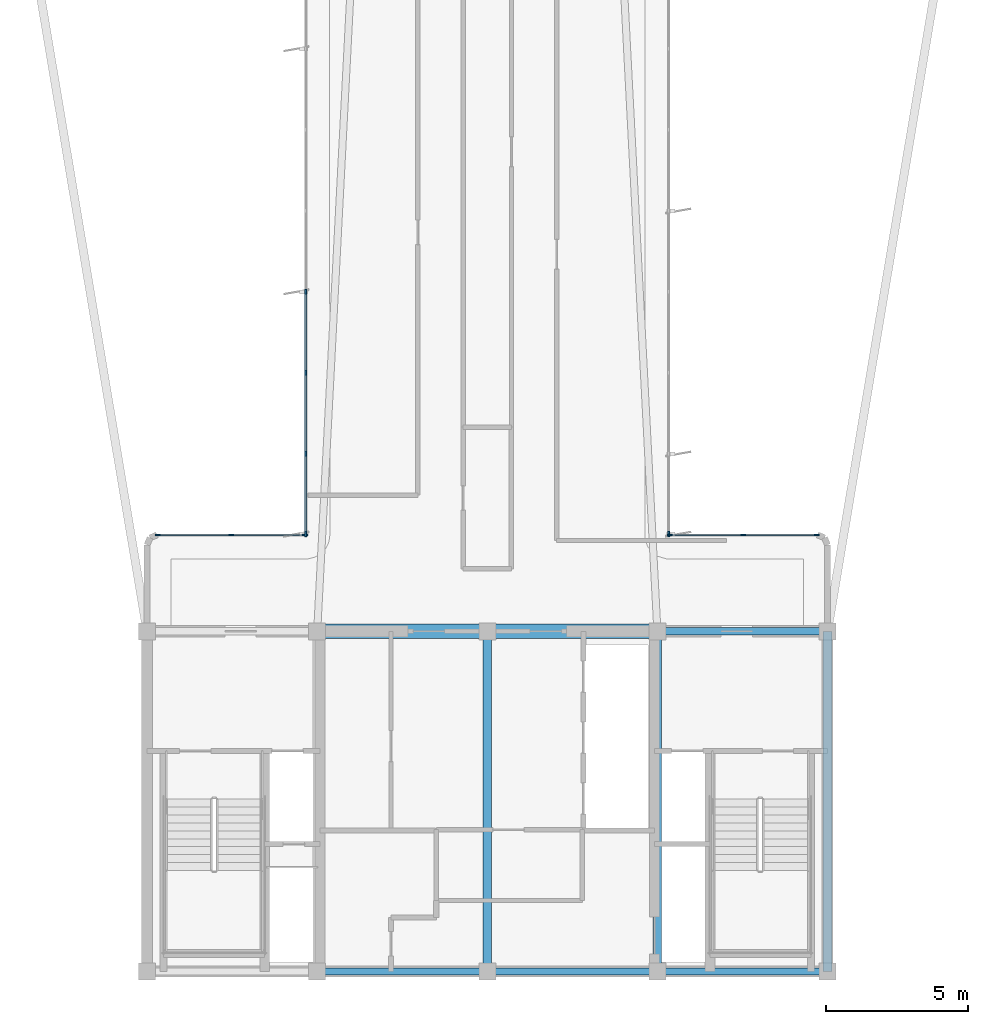
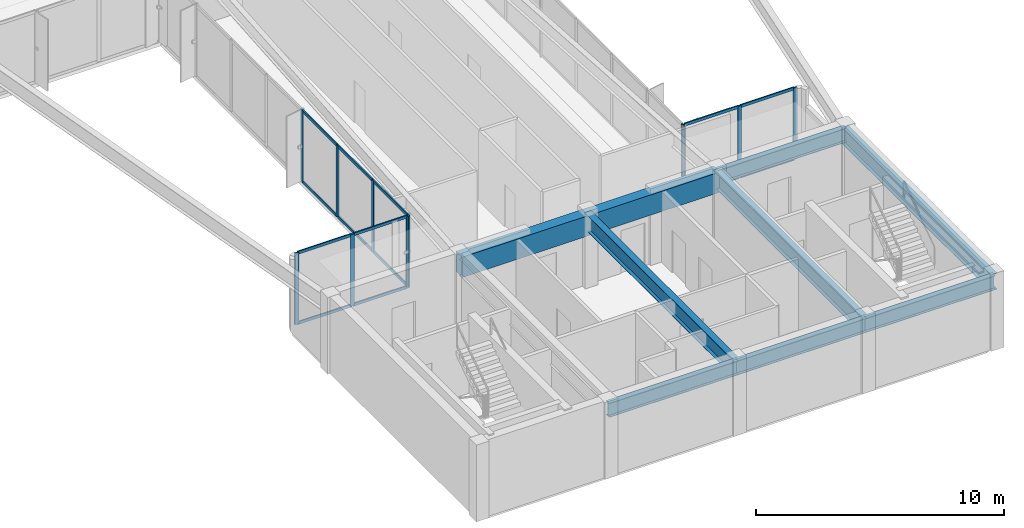
# One storey, part 2 of 15: 25 members, 8 beams, 4 elements without a shape of their own.
"""IFC4 building model written with IfcOpenShell, lengths in metres."""

from ifc_helpers import new_model, si_unit, direction, frame, origin, origin_2d, place, context, subcontext, project, spatial, rectangle, i_section, extrude, source, transform, mapped, material, layer, layer_set, material_profile, profile_set, type_object, element, aggregate, save


model = new_model("IFC4")

# Units and contexts
model_context = context("Model", 3, precision=1e-05, world=origin(), true_north=direction((0.0, 1.0)))
body_context = subcontext(model_context, "Body", "Model", "MODEL_VIEW")
ifc_project = project(units=[si_unit("LENGTHUNIT", "METRE"), si_unit("AREAUNIT", "SQUARE_METRE"), si_unit("VOLUMEUNIT", "CUBIC_METRE"), si_unit("PLANEANGLEUNIT", "RADIAN"), si_unit("MASSUNIT", "GRAM", prefix="KILO")], contexts=[model_context])

# Site, building, storey
site_placement = place(None, origin())
site = spatial("IfcSite", under=ifc_project, at=site_placement, CompositionType="ELEMENT")
building_placement = place(site_placement, origin())
building = spatial("IfcBuilding", under=site, at=building_placement, Name="Brelvock Crest Care Tower", CompositionType="ELEMENT")
storey_placement = place(building_placement, frame((0.0, 0.0, 272.159912109375)))
storey = spatial("IfcBuildingStorey", under=building, at=storey_placement, Name="L69", CompositionType="ELEMENT", Elevation=272.159912109375)

# Beams
ifc_material_1 = material(Name="Steel Grade 350", Category="steel")
ifc_material_profile_1 = material_profile(ifc_material_1, i_section(OverallWidth=0.25, OverallDepth=0.699951171875, WebThickness=0.011962890625, FlangeThickness=0.02001953125, at=origin_2d()), Name="700WB150")
ifc_profile_set_1 = profile_set([ifc_material_profile_1], Name="Steel Grade 350")
beam_type_1 = type_object("IfcBeamType", Name="BM-G4", PredefinedType="BEAM", material=ifc_profile_set_1)
shared_shape_1 = source(origin(), body_context, "Body", "SweptSolid", [
    extrude(i_section(OverallWidth=0.25, OverallDepth=0.699951171875, WebThickness=0.011962890625, FlangeThickness=0.02001953125, at=origin_2d()), origin(), (0.0, 0.0, 1.0), 6.0),
])
for number, where, z_axis, x_axis, name in (
    (1, (30.0, 6.0, 3.18017578125), (1.0, 0.0, 0.0), (0.0, 1.0, 0.0), "BM-CORES-L69-2"),
    (2, (36.0, 6.0, 3.18017578125), (1.0, 0.0, 0.0), (0.0, 1.0, 0.0), "BM-CORES-L69-3"),
    (3, (42.0, 6.0, 3.18017578125), (1.0, 0.0, 0.0), (0.0, 1.0, 0.0), "BM-CORES-L69-4"),
    (4, (42.0, 18.0, 3.18017578125), (1.0, 0.0, 0.0), (0.0, 1.0, 0.0), "BM-COREN-L69-4"),
):
    element("IfcBeam", number, at=place(storey_placement, frame(where, z_axis=z_axis, x_axis=x_axis)), inside=storey, type_object=beam_type_1, Name=name, PredefinedType="BEAM", context=body_context, shape_type="MappedRepresentation", body=[
        mapped(shared_shape_1, transform((0.0, 0.0, 0.0), x_axis=(1.0, 0.0, 0.0), y_axis=(0.0, 1.0, 0.0), z_axis=(0.0, 0.0, 1.0), scale=1.0)),
    ])
ifc_material_profile_2 = material_profile(ifc_material_1, i_section(OverallWidth=0.300048828125, OverallDepth=0.800048828125, WebThickness=0.013916015625, FlangeThickness=0.02197265625, at=origin_2d()), Name="800WB192")
ifc_profile_set_2 = profile_set([ifc_material_profile_2], Name="Steel Grade 350")
beam_type_2 = type_object("IfcBeamType", Name="BM-G5", PredefinedType="BEAM", material=ifc_profile_set_2)
shared_shape_2 = source(origin(), body_context, "Body", "SweptSolid", [
    extrude(i_section(OverallWidth=0.300048828125, OverallDepth=0.800048828125, WebThickness=0.013916015625, FlangeThickness=0.02197265625, at=origin_2d()), origin(), (0.0, 0.0, 1.0), 12.0),
])
for number, where, z_axis, x_axis, name in (
    (5, (36.0, 6.0, 3.130126953125), (0.0, 1.0, 0.0), (-1.0, 0.0, 0.0), "BM-COREX-L69-3"),
    (6, (42.0, 6.0, 3.130126953125), (0.0, 1.0, 0.0), (-1.0, 0.0, 0.0), "BM-COREX-L69-4"),
    (7, (48.0, 6.0, 3.130126953125), (0.0, 1.0, 0.0), (-1.0, 0.0, 0.0), "BM-COREX-L69-5"),
):
    element("IfcBeam", number, at=place(storey_placement, frame(where, z_axis=z_axis, x_axis=x_axis)), inside=storey, type_object=beam_type_2, Name=name, PredefinedType="BEAM", context=body_context, shape_type="MappedRepresentation", body=[
        mapped(shared_shape_2, transform((0.0, 0.0, 0.0), x_axis=(1.0, 0.0, 0.0), y_axis=(0.0, 1.0, 0.0), z_axis=(0.0, 0.0, 1.0), scale=1.0)),
    ])
ifc_material_2 = material(Name="Concrete S65 (65 MPa)", Category="concrete")
ifc_material_profile_3 = material_profile(ifc_material_2, rectangle(XDim=0.5, YDim=1.0, at=origin_2d()), Name="RC500x1000")
ifc_profile_set_3 = profile_set([ifc_material_profile_3], Name="Concrete S65 (65 MPa)")
beam_type_3 = type_object("IfcBeamType", Name="BM-LN2", PredefinedType="LINTEL", material=ifc_profile_set_3)
shared_shape_3 = source(origin(), body_context, "Body", "SweptSolid", [
    extrude(rectangle(XDim=0.5, YDim=1.0, at=origin_2d()), origin(), (0.0, 0.0, 1.0), 12.0),
])
beam_placement = place(storey_placement, frame((30.0, 18.0, 3.030029296875), z_axis=(1.0, 0.0, 0.0), x_axis=(0.0, 1.0, 0.0)))
element("IfcBeam", 8, at=beam_placement, inside=storey, type_object=beam_type_3, Name="L69 Core Coupling Lintel Beam", PredefinedType="LINTEL", context=body_context, shape_type="MappedRepresentation", body=[
    mapped(shared_shape_3, transform((0.0, 0.0, 0.0), x_axis=(1.0, 0.0, 0.0), y_axis=(0.0, 1.0, 0.0), z_axis=(0.0, 0.0, 1.0), scale=1.0)),
])

# Curtain wall, members
ifc_material_3 = material(Name="Dark Glass Double Glazed Low-E", Category="glass")
ifc_layer = layer(ifc_material_3, 0.239990234375, Name="CWS-5")
ifc_layer_set = layer_set([ifc_layer], Name="Dark Glass Double Glazed Low-E")
curtain_wall_type = type_object("IfcCurtainWallType", Name="CWS-5", PredefinedType="NOTDEFINED", material=ifc_layer_set)
curtain_wall_1_placement = place(storey_placement, origin())
curtain_wall_1 = element("IfcCurtainWall", 9, at=curtain_wall_1_placement, inside=storey, type_object=curtain_wall_type, Name="L69 Curtain Wall E10", PredefinedType="NOTDEFINED")
ifc_material_4 = material(Name="Aluminium 6063-T6", Category="aluminium")
ifc_material_profile_4 = material_profile(ifc_material_4, rectangle(XDim=0.06005859375, YDim=0.179931640625, at=origin_2d()), Name="ALU60x180")
ifc_profile_set_4 = profile_set([ifc_material_profile_4], Name="Aluminium 6063-T6")
member_type_1 = type_object("IfcMemberType", Name="CWM-2", PredefinedType="MULLION", material=ifc_profile_set_4)
shared_shape_4 = source(origin(), body_context, "Body", "SweptSolid", [
    extrude(rectangle(XDim=0.06005859375, YDim=0.179931640625, at=origin_2d()), origin(), (0.0, 0.0, 1.0), 3.530029296875),
])
member_1_placement = place(storey_placement, frame((24.3798828125, 21.39990234375, 0.0), z_axis=(0.0, 0.0, 1.0), x_axis=(0.0, 1.0, 0.0)))
member_1 = element("IfcMember", 10, at=member_1_placement, type_object=member_type_1, Name="CW-5 mullion 1", PredefinedType="MULLION", context=body_context, shape_type="MappedRepresentation", body=[
    mapped(shared_shape_4, transform((0.0, 0.0, 0.0), x_axis=(1.0, 0.0, 0.0), y_axis=(0.0, 1.0, 0.0), z_axis=(0.0, 0.0, 1.0), scale=1.0)),
])
member_2_placement = place(storey_placement, frame((26.97509765625, 21.39990234375, 0.0), z_axis=(0.0, 0.0, 1.0), x_axis=(0.0, 1.0, 0.0)))
member_2 = element("IfcMember", 11, at=member_2_placement, type_object=member_type_1, Name="CW-5 mullion 2", PredefinedType="MULLION", context=body_context, shape_type="MappedRepresentation", body=[
    mapped(shared_shape_4, transform((0.0, 0.0, 0.0), x_axis=(1.0, 0.0, 0.0), y_axis=(0.0, 1.0, 0.0), z_axis=(0.0, 0.0, 1.0), scale=1.0)),
])
member_3_placement = place(storey_placement, frame((29.570068359375, 21.39990234375, 0.0), z_axis=(0.0, 0.0, 1.0), x_axis=(0.0, 1.0, 0.0)))
member_3 = element("IfcMember", 12, at=member_3_placement, type_object=member_type_1, Name="CW-5 mullion 3", PredefinedType="MULLION", context=body_context, shape_type="MappedRepresentation", body=[
    mapped(shared_shape_4, transform((0.0, 0.0, 0.0), x_axis=(1.0, 0.0, 0.0), y_axis=(0.0, 1.0, 0.0), z_axis=(0.0, 0.0, 1.0), scale=1.0)),
])

curtain_wall_2_placement = place(storey_placement, origin())
curtain_wall_2 = element("IfcCurtainWall", 13, at=curtain_wall_2_placement, inside=storey, type_object=curtain_wall_type, Name="L69 Curtain Wall E11", PredefinedType="NOTDEFINED")
member_4_placement = place(storey_placement, frame((29.60009765625, 21.429931640625, 0.0), z_axis=(0.0, 0.0, 1.0), x_axis=(-1.0, 0.0, 0.0)))
member_4 = element("IfcMember", 14, at=member_4_placement, type_object=member_type_1, Name="CW-5 mullion 1", PredefinedType="MULLION", context=body_context, shape_type="MappedRepresentation", body=[
    mapped(shared_shape_4, transform((0.0, 0.0, 0.0), x_axis=(1.0, 0.0, 0.0), y_axis=(0.0, 1.0, 0.0), z_axis=(0.0, 0.0, 1.0), scale=1.0)),
])
member_5_placement = place(storey_placement, frame((29.60009765625, 24.257080078125, 0.0), z_axis=(0.0, 0.0, 1.0), x_axis=(-1.0, 0.0, 0.0)))
member_5 = element("IfcMember", 15, at=member_5_placement, type_object=member_type_1, Name="CW-5 mullion 2", PredefinedType="MULLION", context=body_context, shape_type="MappedRepresentation", body=[
    mapped(shared_shape_4, transform((0.0, 0.0, 0.0), x_axis=(1.0, 0.0, 0.0), y_axis=(0.0, 1.0, 0.0), z_axis=(0.0, 0.0, 1.0), scale=1.0)),
])
member_6_placement = place(storey_placement, frame((29.60009765625, 27.1142578125, 0.0), z_axis=(0.0, 0.0, 1.0), x_axis=(-1.0, 0.0, 0.0)))
member_6 = element("IfcMember", 16, at=member_6_placement, type_object=member_type_1, Name="CW-5 mullion 3", PredefinedType="MULLION", context=body_context, shape_type="MappedRepresentation", body=[
    mapped(shared_shape_4, transform((0.0, 0.0, 0.0), x_axis=(1.0, 0.0, 0.0), y_axis=(0.0, 1.0, 0.0), z_axis=(0.0, 0.0, 1.0), scale=1.0)),
])
member_7_placement = place(storey_placement, frame((29.60009765625, 29.971435546875, 0.0), z_axis=(0.0, 0.0, 1.0), x_axis=(-1.0, 0.0, 0.0)))
member_7 = element("IfcMember", 17, at=member_7_placement, type_object=member_type_1, Name="CW-5 mullion 4", PredefinedType="MULLION", context=body_context, shape_type="MappedRepresentation", body=[
    mapped(shared_shape_4, transform((0.0, 0.0, 0.0), x_axis=(1.0, 0.0, 0.0), y_axis=(0.0, 1.0, 0.0), z_axis=(0.0, 0.0, 1.0), scale=1.0)),
])

# Curtain wall, member
curtain_wall_3_placement = place(storey_placement, origin())
curtain_wall_3 = element("IfcCurtainWall", 18, at=curtain_wall_3_placement, inside=storey, type_object=curtain_wall_type, Name="L69 Curtain Wall E45", PredefinedType="NOTDEFINED")
member_8_placement = place(storey_placement, frame((42.39990234375, 21.429931640625, 0.0), z_axis=(0.0, 0.0, 1.0), x_axis=(1.0, 0.0, 0.0)))
member_8 = element("IfcMember", 19, at=member_8_placement, type_object=member_type_1, Name="CW-5 mullion 8", PredefinedType="MULLION", context=body_context, shape_type="MappedRepresentation", body=[
    mapped(shared_shape_4, transform((0.0, 0.0, 0.0), x_axis=(1.0, 0.0, 0.0), y_axis=(0.0, 1.0, 0.0), z_axis=(0.0, 0.0, 1.0), scale=1.0)),
])
aggregate(curtain_wall_3, [member_8])

# Curtain wall, members
curtain_wall_4_placement = place(storey_placement, origin())
curtain_wall_4 = element("IfcCurtainWall", 20, at=curtain_wall_4_placement, inside=storey, type_object=curtain_wall_type, Name="L69 Curtain Wall E46", PredefinedType="NOTDEFINED")
member_9_placement = place(storey_placement, frame((42.429931640625, 21.39990234375, 0.0), z_axis=(0.0, 0.0, 1.0), x_axis=(0.0, 1.0, 0.0)))
member_9 = element("IfcMember", 21, at=member_9_placement, type_object=member_type_1, Name="CW-5 mullion 1", PredefinedType="MULLION", context=body_context, shape_type="MappedRepresentation", body=[
    mapped(shared_shape_4, transform((0.0, 0.0, 0.0), x_axis=(1.0, 0.0, 0.0), y_axis=(0.0, 1.0, 0.0), z_axis=(0.0, 0.0, 1.0), scale=1.0)),
])
member_10_placement = place(storey_placement, frame((45.02490234375, 21.39990234375, 0.0), z_axis=(0.0, 0.0, 1.0), x_axis=(0.0, 1.0, 0.0)))
member_10 = element("IfcMember", 22, at=member_10_placement, type_object=member_type_1, Name="CW-5 mullion 2", PredefinedType="MULLION", context=body_context, shape_type="MappedRepresentation", body=[
    mapped(shared_shape_4, transform((0.0, 0.0, 0.0), x_axis=(1.0, 0.0, 0.0), y_axis=(0.0, 1.0, 0.0), z_axis=(0.0, 0.0, 1.0), scale=1.0)),
])
member_11_placement = place(storey_placement, frame((47.6201171875, 21.39990234375, 0.0), z_axis=(0.0, 0.0, 1.0), x_axis=(0.0, 1.0, 0.0)))
member_11 = element("IfcMember", 23, at=member_11_placement, type_object=member_type_1, Name="CW-5 mullion 3", PredefinedType="MULLION", context=body_context, shape_type="MappedRepresentation", body=[
    mapped(shared_shape_4, transform((0.0, 0.0, 0.0), x_axis=(1.0, 0.0, 0.0), y_axis=(0.0, 1.0, 0.0), z_axis=(0.0, 0.0, 1.0), scale=1.0)),
])

# Member
ifc_material_profile_5 = material_profile(ifc_material_4, rectangle(XDim=0.06005859375, YDim=0.139892578125, at=origin_2d()), Name="ALU60x140")
ifc_profile_set_5 = profile_set([ifc_material_profile_5], Name="Aluminium 6063-T6")
member_type_2 = type_object("IfcMemberType", Name="CWT-2", PredefinedType="USERDEFINED", material=ifc_profile_set_5)
shared_shape_5 = source(origin(), body_context, "Body", "SweptSolid", [
    extrude(rectangle(XDim=0.06005859375, YDim=0.139892578125, at=origin_2d()), origin(), (0.0, 0.0, 1.0), 2.53515625),
])
member_12_placement = place(storey_placement, frame((24.409912109375, 21.39990234375, 0.030029296875), z_axis=(1.0, 0.0, 0.0), x_axis=(0.0, 1.0, 0.0)))
member_12 = element("IfcMember", 24, at=member_12_placement, type_object=member_type_2, Name="CW-5 transom 1.1", ObjectType="TRANSOM", PredefinedType="USERDEFINED", context=body_context, shape_type="MappedRepresentation", body=[
    mapped(shared_shape_5, transform((0.0, 0.0, 0.0), x_axis=(1.0, 0.0, 0.0), y_axis=(0.0, 1.0, 0.0), z_axis=(0.0, 0.0, 1.0), scale=1.0)),
])

member_13_placement = place(storey_placement, frame((24.409912109375, 21.39990234375, 3.5), z_axis=(1.0, 0.0, 0.0), x_axis=(0.0, 1.0, 0.0)))
member_13 = element("IfcMember", 25, at=member_13_placement, type_object=member_type_2, Name="CW-5 transom 1.2", ObjectType="TRANSOM", PredefinedType="USERDEFINED", context=body_context, shape_type="MappedRepresentation", body=[
    mapped(shared_shape_5, transform((0.0, 0.0, 0.0), x_axis=(1.0, 0.0, 0.0), y_axis=(0.0, 1.0, 0.0), z_axis=(0.0, 0.0, 1.0), scale=1.0)),
])

member_14_placement = place(storey_placement, frame((27.0048828125, 21.39990234375, 0.030029296875), z_axis=(1.0, 0.0, 0.0), x_axis=(0.0, 1.0, 0.0)))
member_14 = element("IfcMember", 26, at=member_14_placement, type_object=member_type_2, Name="CW-5 transom 2.1", ObjectType="TRANSOM", PredefinedType="USERDEFINED", context=body_context, shape_type="MappedRepresentation", body=[
    mapped(shared_shape_5, transform((0.0, 0.0, 0.0), x_axis=(1.0, 0.0, 0.0), y_axis=(0.0, 1.0, 0.0), z_axis=(0.0, 0.0, 1.0), scale=1.0)),
])

member_15_placement = place(storey_placement, frame((27.0048828125, 21.39990234375, 3.5), z_axis=(1.0, 0.0, 0.0), x_axis=(0.0, 1.0, 0.0)))
member_15 = element("IfcMember", 27, at=member_15_placement, type_object=member_type_2, Name="CW-5 transom 2.2", ObjectType="TRANSOM", PredefinedType="USERDEFINED", context=body_context, shape_type="MappedRepresentation", body=[
    mapped(shared_shape_5, transform((0.0, 0.0, 0.0), x_axis=(1.0, 0.0, 0.0), y_axis=(0.0, 1.0, 0.0), z_axis=(0.0, 0.0, 1.0), scale=1.0)),
])

aggregate(curtain_wall_1, [member_1, member_2, member_3, member_12, member_13, member_14, member_15])

member_16_placement = place(storey_placement, frame((42.4599609375, 21.39990234375, 0.030029296875), z_axis=(1.0, 0.0, 0.0), x_axis=(0.0, 1.0, 0.0)))
member_16 = element("IfcMember", 28, at=member_16_placement, type_object=member_type_2, Name="CW-5 transom 1.1", ObjectType="TRANSOM", PredefinedType="USERDEFINED", context=body_context, shape_type="MappedRepresentation", body=[
    mapped(shared_shape_5, transform((0.0, 0.0, 0.0), x_axis=(1.0, 0.0, 0.0), y_axis=(0.0, 1.0, 0.0), z_axis=(0.0, 0.0, 1.0), scale=1.0)),
])

member_17_placement = place(storey_placement, frame((42.4599609375, 21.39990234375, 3.5), z_axis=(1.0, 0.0, 0.0), x_axis=(0.0, 1.0, 0.0)))
member_17 = element("IfcMember", 29, at=member_17_placement, type_object=member_type_2, Name="CW-5 transom 1.2", ObjectType="TRANSOM", PredefinedType="USERDEFINED", context=body_context, shape_type="MappedRepresentation", body=[
    mapped(shared_shape_5, transform((0.0, 0.0, 0.0), x_axis=(1.0, 0.0, 0.0), y_axis=(0.0, 1.0, 0.0), z_axis=(0.0, 0.0, 1.0), scale=1.0)),
])

member_18_placement = place(storey_placement, frame((45.054931640625, 21.39990234375, 0.030029296875), z_axis=(1.0, 0.0, 0.0), x_axis=(0.0, 1.0, 0.0)))
member_18 = element("IfcMember", 30, at=member_18_placement, type_object=member_type_2, Name="CW-5 transom 2.1", ObjectType="TRANSOM", PredefinedType="USERDEFINED", context=body_context, shape_type="MappedRepresentation", body=[
    mapped(shared_shape_5, transform((0.0, 0.0, 0.0), x_axis=(1.0, 0.0, 0.0), y_axis=(0.0, 1.0, 0.0), z_axis=(0.0, 0.0, 1.0), scale=1.0)),
])

member_19_placement = place(storey_placement, frame((45.054931640625, 21.39990234375, 3.5), z_axis=(1.0, 0.0, 0.0), x_axis=(0.0, 1.0, 0.0)))
member_19 = element("IfcMember", 31, at=member_19_placement, type_object=member_type_2, Name="CW-5 transom 2.2", ObjectType="TRANSOM", PredefinedType="USERDEFINED", context=body_context, shape_type="MappedRepresentation", body=[
    mapped(shared_shape_5, transform((0.0, 0.0, 0.0), x_axis=(1.0, 0.0, 0.0), y_axis=(0.0, 1.0, 0.0), z_axis=(0.0, 0.0, 1.0), scale=1.0)),
])

aggregate(curtain_wall_4, [member_9, member_10, member_11, member_16, member_17, member_18, member_19])

shared_shape_6 = source(origin(), body_context, "Body", "SweptSolid", [
    extrude(rectangle(XDim=0.06005859375, YDim=0.139892578125, at=origin_2d()), origin(), (0.0, 0.0, 1.0), 2.76708984375),
])
member_20_placement = place(storey_placement, frame((29.60009765625, 21.4599609375, 0.030029296875), z_axis=(0.0, 1.0, 0.0), x_axis=(-1.0, 0.0, 0.0)))
member_20 = element("IfcMember", 32, at=member_20_placement, type_object=member_type_2, Name="CW-5 transom 1.1", ObjectType="TRANSOM", PredefinedType="USERDEFINED", context=body_context, shape_type="MappedRepresentation", body=[
    mapped(shared_shape_6, transform((0.0, 0.0, 0.0), x_axis=(1.0, 0.0, 0.0), y_axis=(0.0, 1.0, 0.0), z_axis=(0.0, 0.0, 1.0), scale=1.0)),
])

member_21_placement = place(storey_placement, frame((29.60009765625, 21.4599609375, 3.5), z_axis=(0.0, 1.0, 0.0), x_axis=(-1.0, 0.0, 0.0)))
member_21 = element("IfcMember", 33, at=member_21_placement, type_object=member_type_2, Name="CW-5 transom 1.2", ObjectType="TRANSOM", PredefinedType="USERDEFINED", context=body_context, shape_type="MappedRepresentation", body=[
    mapped(shared_shape_6, transform((0.0, 0.0, 0.0), x_axis=(1.0, 0.0, 0.0), y_axis=(0.0, 1.0, 0.0), z_axis=(0.0, 0.0, 1.0), scale=1.0)),
])

shared_shape_7 = source(origin(), body_context, "Body", "SweptSolid", [
    extrude(rectangle(XDim=0.06005859375, YDim=0.139892578125, at=origin_2d()), origin(), (0.0, 0.0, 1.0), 2.797119140625),
])
member_22_placement = place(storey_placement, frame((29.60009765625, 24.287109375, 0.030029296875), z_axis=(0.0, 1.0, 0.0), x_axis=(-1.0, 0.0, 0.0)))
member_22 = element("IfcMember", 34, at=member_22_placement, type_object=member_type_2, Name="CW-5 transom 2.1", ObjectType="TRANSOM", PredefinedType="USERDEFINED", context=body_context, shape_type="MappedRepresentation", body=[
    mapped(shared_shape_7, transform((0.0, 0.0, 0.0), x_axis=(1.0, 0.0, 0.0), y_axis=(0.0, 1.0, 0.0), z_axis=(0.0, 0.0, 1.0), scale=1.0)),
])

member_23_placement = place(storey_placement, frame((29.60009765625, 24.287109375, 3.5), z_axis=(0.0, 1.0, 0.0), x_axis=(-1.0, 0.0, 0.0)))
member_23 = element("IfcMember", 35, at=member_23_placement, type_object=member_type_2, Name="CW-5 transom 2.2", ObjectType="TRANSOM", PredefinedType="USERDEFINED", context=body_context, shape_type="MappedRepresentation", body=[
    mapped(shared_shape_7, transform((0.0, 0.0, 0.0), x_axis=(1.0, 0.0, 0.0), y_axis=(0.0, 1.0, 0.0), z_axis=(0.0, 0.0, 1.0), scale=1.0)),
])

member_24_placement = place(storey_placement, frame((29.60009765625, 27.144287109375, 0.030029296875), z_axis=(0.0, 1.0, 0.0), x_axis=(-1.0, 0.0, 0.0)))
member_24 = element("IfcMember", 36, at=member_24_placement, type_object=member_type_2, Name="CW-5 transom 3.1", ObjectType="TRANSOM", PredefinedType="USERDEFINED", context=body_context, shape_type="MappedRepresentation", body=[
    mapped(shared_shape_7, transform((0.0, 0.0, 0.0), x_axis=(1.0, 0.0, 0.0), y_axis=(0.0, 1.0, 0.0), z_axis=(0.0, 0.0, 1.0), scale=1.0)),
])

member_25_placement = place(storey_placement, frame((29.60009765625, 27.144287109375, 3.5), z_axis=(0.0, 1.0, 0.0), x_axis=(-1.0, 0.0, 0.0)))
member_25 = element("IfcMember", 37, at=member_25_placement, type_object=member_type_2, Name="CW-5 transom 3.2", ObjectType="TRANSOM", PredefinedType="USERDEFINED", context=body_context, shape_type="MappedRepresentation", body=[
    mapped(shared_shape_7, transform((0.0, 0.0, 0.0), x_axis=(1.0, 0.0, 0.0), y_axis=(0.0, 1.0, 0.0), z_axis=(0.0, 0.0, 1.0), scale=1.0)),
])

aggregate(curtain_wall_2, [member_4, member_5, member_6, member_7, member_20, member_21, member_22, member_23, member_24, member_25])

save(model, "model.ifc")
